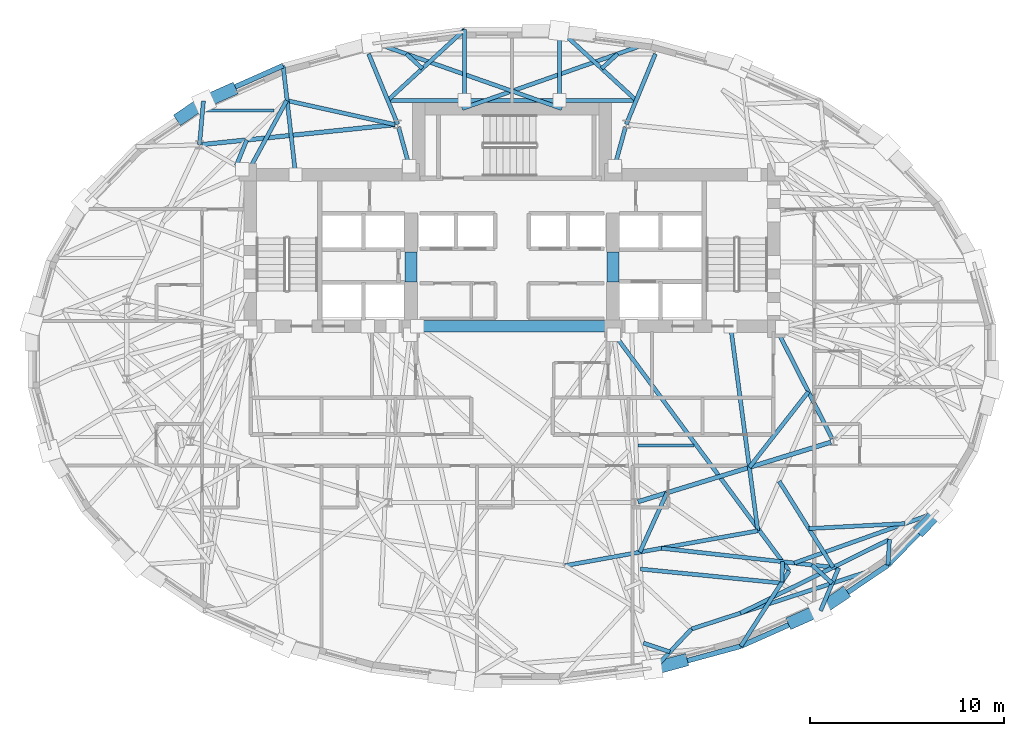
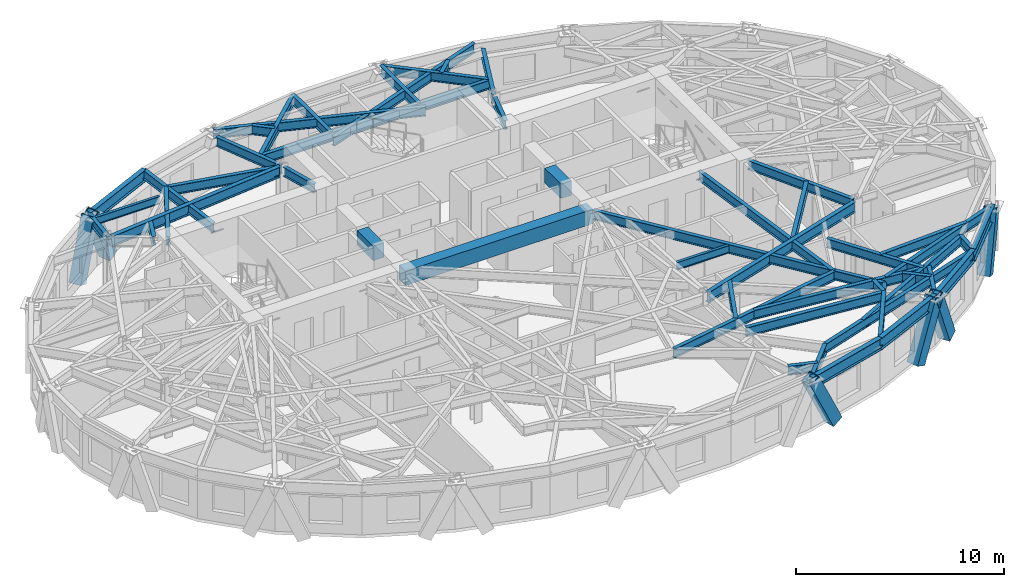
# One storey, part 3 of 15: 50 beams, 6 members.
"""IFC4 building model written with IfcOpenShell, lengths in metres."""

from ifc_helpers import new_model, si_unit, direction, frame, origin, origin_2d, place, context, subcontext, project, spatial, rectangle, hollow_rectangle, i_section, extrude, material, material_profile, profile_set, type_object, element, save


model = new_model("IFC4")

# Units and contexts
model_context = context("Model", 3, precision=1e-05, world=origin(), true_north=direction((0.0, 1.0)))
body_context = subcontext(model_context, "Body", "Model", "MODEL_VIEW")
ifc_project = project(units=[si_unit("LENGTHUNIT", "METRE"), si_unit("AREAUNIT", "SQUARE_METRE"), si_unit("VOLUMEUNIT", "CUBIC_METRE"), si_unit("PLANEANGLEUNIT", "RADIAN"), si_unit("MASSUNIT", "GRAM", prefix="KILO")], contexts=[model_context])

# Site, building, storey
site_placement = place(None, origin())
site = spatial("IfcSite", under=ifc_project, at=site_placement, CompositionType="ELEMENT")
building_placement = place(site_placement, origin())
building = spatial("IfcBuilding", under=site, at=building_placement, Name="Keldmark Tower", CompositionType="ELEMENT")
storey_placement = place(building_placement, frame((0.0, 0.0, 163.0)))
storey = spatial("IfcBuildingStorey", under=building, at=storey_placement, Name="L44", CompositionType="ELEMENT", Elevation=163.0)

# Beams
ifc_material_1 = material(Name="Steel ASTM A992 Grade 50", Category="steel")
ifc_material_profile_1 = material_profile(ifc_material_1, i_section(OverallWidth=0.153076171875, OverallDepth=0.455078125, WebThickness=0.008056640625, FlangeThickness=0.01318359375, at=origin_2d()), Name="W18X40")
ifc_profile_set_1 = profile_set([ifc_material_profile_1], Name="Steel ASTM A992 Grade 50")
beam_type_1 = type_object("IfcBeamType", Name="Composite Floor Joist W18X40", PredefinedType="JOIST", material=ifc_profile_set_1)
beam_1_placement = place(storey_placement, frame((6.473388671875, -4.60009765625, 2.79248046875), z_axis=(1.0, 0.0, 0.0), x_axis=(0.0, 1.0, 0.0)))
element("IfcBeam", 1, at=beam_1_placement, inside=storey, type_object=beam_type_1, Name="L44 Composite Floor Joist J04", PredefinedType="JOIST", context=body_context, shape_type="SweptSolid", body=[
    extrude(i_section(OverallWidth=0.153076171875, OverallDepth=0.455078125, WebThickness=0.008056640625, FlangeThickness=0.01318359375, at=origin_2d()), origin(), (0.0, 0.0, 1.0), 2.89453125),
])
beam_2_placement = place(storey_placement, frame((-15.827880859375, 12.6201171875, 2.79248046875), z_axis=(1.0, 0.0, 0.0), x_axis=(0.0, 1.0, 0.0)))
element("IfcBeam", 2, at=beam_2_placement, inside=storey, type_object=beam_type_1, Name="L44 Composite Floor Joist J07", PredefinedType="JOIST", context=body_context, shape_type="SweptSolid", body=[
    extrude(i_section(OverallWidth=0.153076171875, OverallDepth=0.455078125, WebThickness=0.008056640625, FlangeThickness=0.01318359375, at=origin_2d()), origin(), (0.0, 0.0, 1.0), 3.567626953125),
])
ifc_material_2 = material(Name="Concrete C50/60", Category="concrete")
ifc_material_profile_2 = material_profile(ifc_material_2, rectangle(XDim=0.60009765625, YDim=0.85009765625, at=origin_2d()), Name="RCB600X850")
ifc_profile_set_2 = profile_set([ifc_material_profile_2], Name="Concrete C50/60")
beam_type_2 = type_object("IfcBeamType", Name="Core Coupling Beam RCB600X850", PredefinedType="USERDEFINED", material=ifc_profile_set_2)
for number, where, z_axis, x_axis, name in (
    (3, (-5.199951171875, 3.800048828125, 2.594970703125), (0.0, 1.0, 0.0), (-1.0, 0.0, 0.0), "L44 West Core Coupling Beam"),
    (4, (5.199951171875, 3.800048828125, 2.594970703125), (0.0, 1.0, 0.0), (-1.0, 0.0, 0.0), "L44 East Core Coupling Beam"),
):
    element("IfcBeam", number, at=place(storey_placement, frame(where, z_axis=z_axis, x_axis=x_axis)), inside=storey, type_object=beam_type_2, Name=name, ObjectType="COUPLING BEAM", PredefinedType="USERDEFINED", context=body_context, shape_type="SweptSolid", body=[
        extrude(rectangle(XDim=0.60009765625, YDim=0.85009765625, at=origin_2d()), origin(), (0.0, 0.0, 1.0), 1.550048828125),
    ])
beam_3_placement = place(storey_placement, frame((-5.199951171875, 1.52490234375, 2.594970703125), z_axis=(1.0, 0.0, 0.0), x_axis=(0.0, 1.0, 0.0)))
element("IfcBeam", 5, at=beam_3_placement, inside=storey, type_object=beam_type_2, Name="L44 Central South Core Coupling Beam", ObjectType="COUPLING BEAM", PredefinedType="USERDEFINED", context=body_context, shape_type="SweptSolid", body=[
    extrude(rectangle(XDim=0.60009765625, YDim=0.85009765625, at=origin_2d()), origin(), (0.0, 0.0, 1.0), 10.39990234375),
])

# Members
ifc_material_3 = material(Name="Steel ASTM A572 Grade 50", Category="steel")
ifc_material_profile_3 = material_profile(ifc_material_3, hollow_rectangle(XDim=0.64990234375, YDim=0.64990234375, WallThickness=0.0400390625, at=origin_2d()), Name="BOX650X650X40")
ifc_profile_set_3 = profile_set([ifc_material_profile_3], Name="Steel ASTM A572 Grade 50")
member_type = type_object("IfcMemberType", Name="Diagrid Zone 3 Brace BOX650X650X40", PredefinedType="BRACE", material=ifc_profile_set_3)
member_1_placement = place(storey_placement, frame((-14.484619140625, 13.6708984375, -0.260009765625), z_axis=(-0.391057621334, -0.173671482903, 0.903831927309), x_axis=(0.405881029714, -0.913925921351, 0.0)))
element("IfcMember", 6, at=member_1_placement, inside=storey, type_object=member_type, Name="L44 Perimeter Diagrid Brace 06A", PredefinedType="BRACE", context=body_context, shape_type="SweptSolid", body=[
    extrude(hollow_rectangle(XDim=0.64990234375, YDim=0.64990234375, WallThickness=0.0400390625, at=origin_2d()), origin(), (0.0, 0.0, 1.0), 3.49609375),
])
member_2_placement = place(storey_placement, frame((-16.99853515625, 12.286376953125, -0.260009765625), z_axis=(0.334792573823, 0.226892983231, 0.914567387716), x_axis=(-0.561014251509, 0.827806142526, 0.0)))
element("IfcMember", 7, at=member_2_placement, inside=storey, type_object=member_type, Name="L44 Perimeter Diagrid Brace 06B", PredefinedType="BRACE", context=body_context, shape_type="SweptSolid", body=[
    extrude(hollow_rectangle(XDim=0.64990234375, YDim=0.64990234375, WallThickness=0.0400390625, at=origin_2d()), origin(), (0.0, 0.0, 1.0), 3.455078125),
])
member_3_placement = place(storey_placement, frame((8.7333984375, -15.703125, -0.260009765625), z_axis=(-0.429124287044, -0.116606099608, 0.895687090341), x_axis=(0.262221871512, -0.965007611421, 0.0)))
element("IfcMember", 8, at=member_3_placement, inside=storey, type_object=member_type, Name="L44 Perimeter Diagrid Brace 13B", PredefinedType="BRACE", context=body_context, shape_type="SweptSolid", body=[
    extrude(hollow_rectangle(XDim=0.64990234375, YDim=0.64990234375, WallThickness=0.0400390625, at=origin_2d()), origin(), (0.0, 0.0, 1.0), 3.52783203125),
])
member_4_placement = place(storey_placement, frame((14.484619140625, -13.6708984375, -0.260009765625), z_axis=(0.391057621334, 0.173671482903, 0.903831927309), x_axis=(-0.405881029714, 0.913925921351, 0.0)))
element("IfcMember", 9, at=member_4_placement, inside=storey, type_object=member_type, Name="L44 Perimeter Diagrid Brace 14A", PredefinedType="BRACE", context=body_context, shape_type="SweptSolid", body=[
    extrude(hollow_rectangle(XDim=0.64990234375, YDim=0.64990234375, WallThickness=0.0400390625, at=origin_2d()), origin(), (0.0, 0.0, 1.0), 3.49609375),
])
member_5_placement = place(storey_placement, frame((16.99853515625, -12.286376953125, -0.260009765625), z_axis=(-0.334792573823, -0.226892983231, 0.914567387716), x_axis=(0.561014251509, -0.827806142526, 0.0)))
element("IfcMember", 10, at=member_5_placement, inside=storey, type_object=member_type, Name="L44 Perimeter Diagrid Brace 14B", PredefinedType="BRACE", context=body_context, shape_type="SweptSolid", body=[
    extrude(hollow_rectangle(XDim=0.64990234375, YDim=0.64990234375, WallThickness=0.0400390625, at=origin_2d()), origin(), (0.0, 0.0, 1.0), 3.455078125),
])
member_6_placement = place(storey_placement, frame((21.0947265625, -8.873291015625, -0.260009765625), z_axis=(0.262478568709, 0.271564090166, 0.925936253692), x_axis=(-0.719032546856, 0.694976400004, 0.0)))
element("IfcMember", 11, at=member_6_placement, inside=storey, type_object=member_type, Name="L44 Perimeter Diagrid Brace 15A", PredefinedType="BRACE", context=body_context, shape_type="SweptSolid", body=[
    extrude(hollow_rectangle(XDim=0.64990234375, YDim=0.64990234375, WallThickness=0.0400390625, at=origin_2d()), origin(), (0.0, 0.0, 1.0), 3.41259765625),
])

# Beams
ifc_material_4 = material(Name="Steel ASTM A992 Grade 50", Category="steel")
ifc_material_profile_4 = material_profile(ifc_material_4, i_section(OverallWidth=0.22900390625, OverallDepth=0.612060546875, WebThickness=0.011962890625, FlangeThickness=0.01953125, at=origin_2d()), Name="W24X84")
ifc_profile_set_4 = profile_set([ifc_material_profile_4], Name="Steel ASTM A992 Grade 50")
beam_type_3 = type_object("IfcBeamType", Name="Primary Floor Girder W24X84", PredefinedType="BEAM", material=ifc_profile_set_4)
beam_4_placement = place(storey_placement, frame((-6.01953125, 11.90087890625, 2.714111328125), z_axis=(-0.994702930931, -0.102791435423, 0.0), x_axis=(0.102791435423, -0.994702930931, 0.0)))
element("IfcBeam", 12, at=beam_4_placement, inside=storey, type_object=beam_type_3, Name="L44 Floor Ring Girder FG-R04", PredefinedType="BEAM", context=body_context, shape_type="SweptSolid", body=[
    extrude(i_section(OverallWidth=0.22900390625, OverallDepth=0.612060546875, WebThickness=0.011962890625, FlangeThickness=0.01953125, at=origin_2d()), origin(), (0.0, 0.0, 1.0), 9.975341796875),
])
beam_5_placement = place(storey_placement, frame((6.485107421875, -7.5048828125, 2.714111328125), z_axis=(0.955494563145, 0.295008711398, 0.0), x_axis=(-0.295008711398, 0.955494563145, 0.0)))
element("IfcBeam", 13, at=beam_5_placement, inside=storey, type_object=beam_type_3, Name="L44 Floor Ring Girder FG-R10", PredefinedType="BEAM", context=body_context, shape_type="SweptSolid", body=[
    extrude(i_section(OverallWidth=0.22900390625, OverallDepth=0.612060546875, WebThickness=0.011962890625, FlangeThickness=0.01953125, at=origin_2d()), origin(), (0.0, 0.0, 1.0), 10.39013671875),
])
ifc_material_5 = material(Name="Steel ASTM A992 Grade 50", Category="steel")
ifc_material_profile_5 = material_profile(ifc_material_5, i_section(OverallWidth=0.2099609375, OverallDepth=0.537109375, WebThickness=0.010986328125, FlangeThickness=0.017333984375, at=origin_2d()), Name="W21X68")
ifc_profile_set_5 = profile_set([ifc_material_profile_5], Name="Steel ASTM A992 Grade 50")
beam_type_4 = type_object("IfcBeamType", Name="Radial Tie Girder W21X68", PredefinedType="BEAM", material=ifc_profile_set_5)
for number, where, z_axis, x_axis, name in (
    (14, (5.843017578125, 11.7802734375, 2.75146484375), (-0.265992411, -0.963975122755, 0.0), (0.963975122755, -0.265992411, 0.0), "L44 Floor Radial Girder FG-C03"),
    (15, (-5.843017578125, 11.7802734375, 2.75146484375), (0.265992411, -0.963975122755, 0.0), (0.963975122755, 0.265992411, 0.0), "L44 Floor Radial Girder FG-C04"),
):
    element("IfcBeam", number, at=place(storey_placement, frame(where, z_axis=z_axis, x_axis=x_axis)), inside=storey, type_object=beam_type_4, Name=name, PredefinedType="BEAM", context=body_context, shape_type="SweptSolid", body=[
        extrude(i_section(OverallWidth=0.2099609375, OverallDepth=0.537109375, WebThickness=0.010986328125, FlangeThickness=0.017333984375, at=origin_2d()), origin(), (0.0, 0.0, 1.0), 2.09716796875),
    ])
beam_6_placement = place(storey_placement, frame((16.4833984375, -4.273681640625, 2.75146484375), z_axis=(-0.453036691775, 0.891491870914, 0.0), x_axis=(-0.891491870914, -0.453036691775, 0.0)))
element("IfcBeam", 16, at=beam_6_placement, inside=storey, type_object=beam_type_4, Name="L44 Floor Radial Girder FG-C11", PredefinedType="BEAM", context=body_context, shape_type="SweptSolid", body=[
    extrude(i_section(OverallWidth=0.2099609375, OverallDepth=0.537109375, WebThickness=0.010986328125, FlangeThickness=0.017333984375, at=origin_2d()), origin(), (0.0, 0.0, 1.0), 6.044189453125),
])
beam_7_placement = place(storey_placement, frame((15.251220703125, -1.848876953125, 2.75146484375), z_axis=(-0.61556718814, -0.788084409746, 0.0), x_axis=(0.788084409746, -0.61556718814, 0.0)))
element("IfcBeam", 17, at=beam_7_placement, inside=storey, type_object=beam_type_4, Name="L44 Framing Pin Header PH-008", PredefinedType="BEAM", context=body_context, shape_type="SweptSolid", body=[
    extrude(i_section(OverallWidth=0.2099609375, OverallDepth=0.537109375, WebThickness=0.010986328125, FlangeThickness=0.017333984375, at=origin_2d()), origin(), (0.0, 0.0, 1.0), 4.931884765625),
])
beam_8_placement = place(storey_placement, frame((11.25, 1.52490234375, 2.75146484375), z_axis=(0.131788779406, -0.991277820605, 0.0), x_axis=(0.991277820605, 0.131788779406, 0.0)))
element("IfcBeam", 18, at=beam_8_placement, inside=storey, type_object=beam_type_4, Name="L44 Sub-Ring Step Girder STP2-M11", PredefinedType="BEAM", context=body_context, shape_type="SweptSolid", body=[
    extrude(i_section(OverallWidth=0.2099609375, OverallDepth=0.537109375, WebThickness=0.010986328125, FlangeThickness=0.017333984375, at=origin_2d()), origin(), (0.0, 0.0, 1.0), 10.620361328125),
])
beam_9_placement = place(storey_placement, frame((2.723876953125, -10.796142578125, 2.75146484375), z_axis=(0.984069515752, 0.1777841055, 0.0), x_axis=(-0.1777841055, 0.984069515752, 0.0)))
element("IfcBeam", 19, at=beam_9_placement, inside=storey, type_object=beam_type_4, Name="L44 Perimeter Collector Ring Beam CRG2-M10", PredefinedType="BEAM", context=body_context, shape_type="SweptSolid", body=[
    extrude(i_section(OverallWidth=0.2099609375, OverallDepth=0.537109375, WebThickness=0.010986328125, FlangeThickness=0.017333984375, at=origin_2d()), origin(), (0.0, 0.0, 1.0), 10.08642578125),
])
beam_10_placement = place(storey_placement, frame((-14.1904296875, 9.78564453125, 2.75146484375), z_axis=(0.377464687755, 0.9260239789, 0.0), x_axis=(-0.9260239789, 0.377464687755, 0.0)))
element("IfcBeam", 20, at=beam_10_placement, inside=storey, type_object=beam_type_4, Name="L44 Framing Pin Header PH-013", PredefinedType="BEAM", context=body_context, shape_type="SweptSolid", body=[
    extrude(i_section(OverallWidth=0.2099609375, OverallDepth=0.537109375, WebThickness=0.010986328125, FlangeThickness=0.017333984375, at=origin_2d()), origin(), (0.0, 0.0, 1.0), 1.4326171875),
])
beam_11_placement = place(storey_placement, frame((-13.60009765625, 9.449951171875, 2.75146484375), z_axis=(0.477654717375, 0.878547648662, 0.0), x_axis=(-0.878547648662, 0.477654717375, 0.0)))
element("IfcBeam", 21, at=beam_11_placement, inside=storey, type_object=beam_type_4, Name="L44 Local Collector Chord RT-11C", PredefinedType="BEAM", context=body_context, shape_type="SweptSolid", body=[
    extrude(i_section(OverallWidth=0.2099609375, OverallDepth=0.537109375, WebThickness=0.010986328125, FlangeThickness=0.017333984375, at=origin_2d()), origin(), (0.0, 0.0, 1.0), 4.201416015625),
])
beam_12_placement = place(storey_placement, frame((-16.08154296875, 10.861083984375, 2.75146484375), z_axis=(0.089048441045, 0.996027296387, 0.0), x_axis=(-0.996027296387, 0.089048441045, 0.0)))
element("IfcBeam", 22, at=beam_12_placement, inside=storey, type_object=beam_type_4, Name="L44 Perimeter Column Bracket RT-12", PredefinedType="BEAM", context=body_context, shape_type="SweptSolid", body=[
    extrude(i_section(OverallWidth=0.2099609375, OverallDepth=0.537109375, WebThickness=0.010986328125, FlangeThickness=0.017333984375, at=origin_2d()), origin(), (0.0, 0.0, 1.0), 2.2646484375),
])
beam_13_placement = place(storey_placement, frame((7.97412109375, -7.045166015625, 2.75146484375), z_axis=(-0.414953421551, -0.909842655597, 0.0), x_axis=(0.909842655597, -0.414953421551, 0.0)))
element("IfcBeam", 23, at=beam_13_placement, inside=storey, type_object=beam_type_4, Name="L44 Framing Pin Header PH-026", PredefinedType="BEAM", context=body_context, shape_type="SweptSolid", body=[
    extrude(i_section(OverallWidth=0.2099609375, OverallDepth=0.537109375, WebThickness=0.010986328125, FlangeThickness=0.017333984375, at=origin_2d()), origin(), (0.0, 0.0, 1.0), 3.356689453125),
])
beam_14_placement = place(storey_placement, frame((7.23681640625, -16.171875, 2.75146484375), z_axis=(0.686997697273, 0.726659592892, 0.0), x_axis=(-0.726659592892, 0.686997697273, 0.0)))
element("IfcBeam", 24, at=beam_14_placement, inside=storey, type_object=beam_type_4, Name="L44 Local Collector Chord RT-27C", PredefinedType="BEAM", context=body_context, shape_type="SweptSolid", body=[
    extrude(i_section(OverallWidth=0.2099609375, OverallDepth=0.537109375, WebThickness=0.010986328125, FlangeThickness=0.017333984375, at=origin_2d()), origin(), (0.0, 0.0, 1.0), 2.91162109375),
])
beam_15_placement = place(storey_placement, frame((6.758544921875, -14.777099609375, 2.75146484375), z_axis=(0.949660375702, -0.313281296636, 0.0), x_axis=(0.313281296636, 0.949660375702, 0.0)))
element("IfcBeam", 25, at=beam_15_placement, inside=storey, type_object=beam_type_4, Name="L44 Framing Pin Header PH-029", PredefinedType="BEAM", context=body_context, shape_type="SweptSolid", body=[
    extrude(i_section(OverallWidth=0.2099609375, OverallDepth=0.537109375, WebThickness=0.010986328125, FlangeThickness=0.017333984375, at=origin_2d()), origin(), (0.0, 0.0, 1.0), 1.4423828125),
])
beam_16_placement = place(storey_placement, frame((5.199951171875, 1.199951171875, 2.75146484375), z_axis=(0.59453422217, -0.804070307043, 0.0), x_axis=(0.804070307043, 0.59453422217, 0.0)))
element("IfcBeam", 26, at=beam_16_placement, inside=storey, type_object=beam_type_4, Name="L44 Intermediate Radial Step Girder RT-28M", PredefinedType="BEAM", context=body_context, shape_type="SweptSolid", body=[
    extrude(i_section(OverallWidth=0.2099609375, OverallDepth=0.537109375, WebThickness=0.010986328125, FlangeThickness=0.017333984375, at=origin_2d()), origin(), (0.0, 0.0, 1.0), 15.2470703125),
])
beam_17_placement = place(storey_placement, frame((11.77880859375, -14.93798828125, 2.75146484375), z_axis=(0.539677672461, 0.841871730044, 0.0), x_axis=(-0.841871730044, 0.539677672461, 0.0)))
element("IfcBeam", 27, at=beam_17_placement, inside=storey, type_object=beam_type_4, Name="L44 Local Collector Chord RT-28C", PredefinedType="BEAM", context=body_context, shape_type="SweptSolid", body=[
    extrude(i_section(OverallWidth=0.2099609375, OverallDepth=0.537109375, WebThickness=0.010986328125, FlangeThickness=0.017333984375, at=origin_2d()), origin(), (0.0, 0.0, 1.0), 4.606689453125),
])
beam_18_placement = place(storey_placement, frame((6.613525390625, -10.96923828125, 2.75146484375), z_axis=(0.995067350414, -0.099201653916, 0.0), x_axis=(0.099201653916, 0.995067350414, 0.0)))
element("IfcBeam", 28, at=beam_18_placement, inside=storey, type_object=beam_type_4, Name="L44 Framing Pin Header PH-030", PredefinedType="BEAM", context=body_context, shape_type="SweptSolid", body=[
    extrude(i_section(OverallWidth=0.2099609375, OverallDepth=0.537109375, WebThickness=0.010986328125, FlangeThickness=0.017333984375, at=origin_2d()), origin(), (0.0, 0.0, 1.0), 7.2822265625),
])
beam_19_placement = place(storey_placement, frame((13.891845703125, -11.6416015625, 2.75146484375), z_axis=(0.02533480898, 0.999679022214, 0.0), x_axis=(-0.999679022214, 0.02533480898, 0.0)))
element("IfcBeam", 29, at=beam_19_placement, inside=storey, type_object=beam_type_4, Name="L44 Framing Pin Header PH-031", PredefinedType="BEAM", context=body_context, shape_type="SweptSolid", body=[
    extrude(i_section(OverallWidth=0.2099609375, OverallDepth=0.537109375, WebThickness=0.010986328125, FlangeThickness=0.017333984375, at=origin_2d()), origin(), (0.0, 0.0, 1.0), 1.05029296875),
])
beam_20_placement = place(storey_placement, frame((7.686767578125, -9.8994140625, 2.75146484375), z_axis=(0.993889248992, -0.110381885916, 0.0), x_axis=(0.110381885916, 0.993889248992, 0.0)))
element("IfcBeam", 30, at=beam_20_placement, inside=storey, type_object=beam_type_4, Name="L44 Intermediate Radial Step Girder RT-29M", PredefinedType="BEAM", context=body_context, shape_type="SweptSolid", body=[
    extrude(i_section(OverallWidth=0.2099609375, OverallDepth=0.537109375, WebThickness=0.010986328125, FlangeThickness=0.017333984375, at=origin_2d()), origin(), (0.0, 0.0, 1.0), 9.1767578125),
])
beam_21_placement = place(storey_placement, frame((15.8798828125, -13.11669921875, 2.75146484375), z_axis=(0.387824231892, 0.921733348185, 0.0), x_axis=(-0.921733348185, 0.387824231892, 0.0)))
element("IfcBeam", 31, at=beam_21_placement, inside=storey, type_object=beam_type_4, Name="L44 Local Collector Chord RT-29C", PredefinedType="BEAM", context=body_context, shape_type="SweptSolid", body=[
    extrude(i_section(OverallWidth=0.2099609375, OverallDepth=0.537109375, WebThickness=0.010986328125, FlangeThickness=0.017333984375, at=origin_2d()), origin(), (0.0, 0.0, 1.0), 2.3916015625),
])
beam_22_placement = place(storey_placement, frame((15.439208984375, -10.760498046875, 2.75146484375), z_axis=(0.740981524203, -0.671525413361, 0.0), x_axis=(0.671525413361, 0.740981524203, 0.0)))
element("IfcBeam", 32, at=beam_22_placement, inside=storey, type_object=beam_type_4, Name="L44 Framing Pin Header PH-032", PredefinedType="BEAM", context=body_context, shape_type="SweptSolid", body=[
    extrude(i_section(OverallWidth=0.2099609375, OverallDepth=0.537109375, WebThickness=0.010986328125, FlangeThickness=0.017333984375, at=origin_2d()), origin(), (0.0, 0.0, 1.0), 1.39892578125),
])
beam_23_placement = place(storey_placement, frame((9.237060546875, -14.05615234375, 2.75146484375), z_axis=(0.950900030318, 0.309498194407, 0.0), x_axis=(-0.309498194407, 0.950900030318, 0.0)))
element("IfcBeam", 33, at=beam_23_placement, inside=storey, type_object=beam_type_4, Name="L44 Perimeter Radial Tie Girder RT-29", PredefinedType="BEAM", context=body_context, shape_type="SweptSolid", body=[
    extrude(i_section(OverallWidth=0.2099609375, OverallDepth=0.537109375, WebThickness=0.010986328125, FlangeThickness=0.017333984375, at=origin_2d()), origin(), (0.0, 0.0, 1.0), 10.635009765625),
])
beam_24_placement = place(storey_placement, frame((13.748779296875, -6.447998046875, 2.75146484375), z_axis=(0.530665942511, -0.847581062471, 0.0), x_axis=(0.847581062471, 0.530665942511, 0.0)))
element("IfcBeam", 34, at=beam_24_placement, inside=storey, type_object=beam_type_4, Name="L44 Framing Pin Header PH-033", PredefinedType="BEAM", context=body_context, shape_type="SweptSolid", body=[
    extrude(i_section(OverallWidth=0.2099609375, OverallDepth=0.537109375, WebThickness=0.010986328125, FlangeThickness=0.017333984375, at=origin_2d()), origin(), (0.0, 0.0, 1.0), 5.22998046875),
])
beam_25_placement = place(storey_placement, frame((11.765380859375, -13.233154296875, 2.75146484375), z_axis=(0.896464468834, 0.443115623871, 0.0), x_axis=(-0.443115623871, 0.896464468834, 0.0)))
element("IfcBeam", 35, at=beam_25_placement, inside=storey, type_object=beam_type_4, Name="L44 Intermediate Radial Step Girder RT-30M", PredefinedType="BEAM", context=body_context, shape_type="SweptSolid", body=[
    extrude(i_section(OverallWidth=0.2099609375, OverallDepth=0.537109375, WebThickness=0.010986328125, FlangeThickness=0.017333984375, at=origin_2d()), origin(), (0.0, 0.0, 1.0), 8.541015625),
])
beam_26_placement = place(storey_placement, frame((19.349853515625, -10.7646484375, 2.75146484375), z_axis=(0.054823748843, 0.998496047345, 0.0), x_axis=(-0.998496047345, 0.054823748843, 0.0)))
element("IfcBeam", 36, at=beam_26_placement, inside=storey, type_object=beam_type_4, Name="L44 Local Collector Chord RT-30C", PredefinedType="BEAM", context=body_context, shape_type="SweptSolid", body=[
    extrude(i_section(OverallWidth=0.2099609375, OverallDepth=0.537109375, WebThickness=0.010986328125, FlangeThickness=0.017333984375, at=origin_2d()), origin(), (0.0, 0.0, 1.0), 1.318115234375),
])
for number, where, z_axis, x_axis, name in (
    (37, (-5.880126953125, 11.915283203125, 2.75146484375), (-0.381836487795, 0.924229893797, 0.0), (-0.924229893797, -0.381836487795, 0.0), "L44 North Column Cantilever Girder West FG-TCN-W"),
    (38, (5.880126953125, 11.915283203125, 2.75146484375), (0.381836487795, 0.924229893797, 0.0), (-0.924229893797, 0.381836487795, 0.0), "L44 North Column Cantilever Girder East FG-TCN-E"),
):
    element("IfcBeam", number, at=place(storey_placement, frame(where, z_axis=z_axis, x_axis=x_axis)), inside=storey, type_object=beam_type_4, Name=name, PredefinedType="BEAM", context=body_context, shape_type="SweptSolid", body=[
        extrude(i_section(OverallWidth=0.2099609375, OverallDepth=0.537109375, WebThickness=0.010986328125, FlangeThickness=0.017333984375, at=origin_2d()), origin(), (0.0, 0.0, 1.0), 3.920166015625),
    ])
beam_27_placement = place(storey_placement, frame((-6.390380859375, 13.14990234375, 2.75146484375), z_axis=(1.0, 0.0, 0.0), x_axis=(0.0, 1.0, 0.0)))
element("IfcBeam", 39, at=beam_27_placement, inside=storey, type_object=beam_type_4, Name="L44 North Inner Header Girder FG-TCN-H0", PredefinedType="BEAM", context=body_context, shape_type="SweptSolid", body=[
    extrude(i_section(OverallWidth=0.2099609375, OverallDepth=0.537109375, WebThickness=0.010986328125, FlangeThickness=0.017333984375, at=origin_2d()), origin(), (0.0, 0.0, 1.0), 12.78076171875),
])
for number, where, z_axis, x_axis, name in (
    (40, (2.439208984375, 13.14990234375, 2.75146484375), (0.0, 1.0, 0.0), (-1.0, 0.0, 0.0), "L44 North Continuous Radial Girder RT-08N"),
    (41, (-2.439208984375, 13.14990234375, 2.75146484375), (0.0, 1.0, 0.0), (-1.0, 0.0, 0.0), "L44 North Continuous Radial Girder RT-09N"),
):
    element("IfcBeam", number, at=place(storey_placement, frame(where, z_axis=z_axis, x_axis=x_axis)), inside=storey, type_object=beam_type_4, Name=name, PredefinedType="BEAM", context=body_context, shape_type="SweptSolid", body=[
        extrude(i_section(OverallWidth=0.2099609375, OverallDepth=0.537109375, WebThickness=0.010986328125, FlangeThickness=0.017333984375, at=origin_2d()), origin(), (0.0, 0.0, 1.0), 3.63818359375),
    ])
beam_28_placement = place(storey_placement, frame((6.390380859375, 13.14990234375, 2.75146484375), z_axis=(-0.735642853737, 0.677369612357, 0.0), x_axis=(-0.677369612357, -0.735642853737, 0.0)))
element("IfcBeam", 42, at=beam_28_placement, inside=storey, type_object=beam_type_4, Name="L44 Straddling Support Chord RT-07RB", PredefinedType="BEAM", context=body_context, shape_type="SweptSolid", body=[
    extrude(i_section(OverallWidth=0.2099609375, OverallDepth=0.537109375, WebThickness=0.010986328125, FlangeThickness=0.017333984375, at=origin_2d()), origin(), (0.0, 0.0, 1.0), 5.37109375),
])
beam_29_placement = place(storey_placement, frame((4.6123046875, 14.787109375, 2.75146484375), z_axis=(0.738779417209, 0.673947307071, 0.0), x_axis=(-0.673947307071, 0.738779417209, 0.0)))
element("IfcBeam", 43, at=beam_29_placement, inside=storey, type_object=beam_type_4, Name="L44 Framing Pin Header PH-037", PredefinedType="BEAM", context=body_context, shape_type="SweptSolid", body=[
    extrude(i_section(OverallWidth=0.2099609375, OverallDepth=0.537109375, WebThickness=0.010986328125, FlangeThickness=0.017333984375, at=origin_2d()), origin(), (0.0, 0.0, 1.0), 1.11474609375),
])
beam_30_placement = place(storey_placement, frame((-2.5625, 12.72509765625, 2.75146484375), z_axis=(0.943346452772, 0.331809388117, 0.0), x_axis=(-0.331809388117, 0.943346452772, 0.0)))
element("IfcBeam", 44, at=beam_30_placement, inside=storey, type_object=beam_type_4, Name="L44 Perimeter Radial Tie Girder RT-07R", PredefinedType="BEAM", context=body_context, shape_type="SweptSolid", body=[
    extrude(i_section(OverallWidth=0.2099609375, OverallDepth=0.537109375, WebThickness=0.010986328125, FlangeThickness=0.017333984375, at=origin_2d()), origin(), (0.0, 0.0, 1.0), 10.387939453125),
])
beam_31_placement = place(storey_placement, frame((-2.439208984375, 16.7880859375, 2.75146484375), z_axis=(-0.735642853737, -0.677369612357, 0.0), x_axis=(0.677369612357, -0.735642853737, 0.0)))
element("IfcBeam", 45, at=beam_31_placement, inside=storey, type_object=beam_type_4, Name="L44 Straddling Support Chord RT-10RB", PredefinedType="BEAM", context=body_context, shape_type="SweptSolid", body=[
    extrude(i_section(OverallWidth=0.2099609375, OverallDepth=0.537109375, WebThickness=0.010986328125, FlangeThickness=0.017333984375, at=origin_2d()), origin(), (0.0, 0.0, 1.0), 5.37109375),
])
beam_32_placement = place(storey_placement, frame((-4.6123046875, 14.787109375, 2.75146484375), z_axis=(-0.738779417209, 0.673947307071, 0.0), x_axis=(-0.673947307071, -0.738779417209, 0.0)))
element("IfcBeam", 46, at=beam_32_placement, inside=storey, type_object=beam_type_4, Name="L44 Framing Pin Header PH-038", PredefinedType="BEAM", context=body_context, shape_type="SweptSolid", body=[
    extrude(i_section(OverallWidth=0.2099609375, OverallDepth=0.537109375, WebThickness=0.010986328125, FlangeThickness=0.017333984375, at=origin_2d()), origin(), (0.0, 0.0, 1.0), 1.11474609375),
])
beam_33_placement = place(storey_placement, frame((2.5625, 12.72509765625, 2.75146484375), z_axis=(-0.943346452772, 0.331809388117, 0.0), x_axis=(-0.331809388117, -0.943346452772, 0.0)))
element("IfcBeam", 47, at=beam_33_placement, inside=storey, type_object=beam_type_4, Name="L44 Perimeter Radial Tie Girder RT-10R", PredefinedType="BEAM", context=body_context, shape_type="SweptSolid", body=[
    extrude(i_section(OverallWidth=0.2099609375, OverallDepth=0.537109375, WebThickness=0.010986328125, FlangeThickness=0.017333984375, at=origin_2d()), origin(), (0.0, 0.0, 1.0), 10.387939453125),
])
beam_34_placement = place(storey_placement, frame((-6.01953125, 11.90087890625, 2.75146484375), z_axis=(-0.976126660537, 0.217202077772, 0.0), x_axis=(-0.217202077772, -0.976126660537, 0.0)))
element("IfcBeam", 48, at=beam_34_placement, inside=storey, type_object=beam_type_4, Name="L44 Straddling Support Chord RT-11RB", PredefinedType="BEAM", context=body_context, shape_type="SweptSolid", body=[
    extrude(i_section(OverallWidth=0.2099609375, OverallDepth=0.537109375, WebThickness=0.010986328125, FlangeThickness=0.017333984375, at=origin_2d()), origin(), (0.0, 0.0, 1.0), 5.7099609375),
])
beam_35_placement = place(storey_placement, frame((-11.1357421875, 9.324951171875, 2.75146484375), z_axis=(-0.113822019319, 0.993501156476, 0.0), x_axis=(-0.993501156476, -0.113822019319, 0.0)))
element("IfcBeam", 49, at=beam_35_placement, inside=storey, type_object=beam_type_4, Name="L44 Perimeter Radial Tie Girder RT-11R", PredefinedType="BEAM", context=body_context, shape_type="SweptSolid", body=[
    extrude(i_section(OverallWidth=0.2099609375, OverallDepth=0.537109375, WebThickness=0.010986328125, FlangeThickness=0.017333984375, at=origin_2d()), origin(), (0.0, 0.0, 1.0), 5.649658203125),
])
beam_36_placement = place(storey_placement, frame((15.275146484375, -8.885986328125, 2.75146484375), z_axis=(0.998681382448, 0.051337085533, 0.0), x_axis=(-0.051337085533, 0.998681382448, 0.0)))
element("IfcBeam", 50, at=beam_36_placement, inside=storey, type_object=beam_type_4, Name="L44 Framing Pin Header PH-042", PredefinedType="BEAM", context=body_context, shape_type="SweptSolid", body=[
    extrude(i_section(OverallWidth=0.2099609375, OverallDepth=0.537109375, WebThickness=0.010986328125, FlangeThickness=0.017333984375, at=origin_2d()), origin(), (0.0, 0.0, 1.0), 4.95068359375),
])
beam_37_placement = place(storey_placement, frame((14.527099609375, -10.6591796875, 2.75146484375), z_axis=(0.942039482197, 0.335502032753, 0.0), x_axis=(-0.335502032753, 0.942039482197, 0.0)))
element("IfcBeam", 51, at=beam_37_placement, inside=storey, type_object=beam_type_4, Name="L44 Perimeter Radial Tie Girder RT-30R", PredefinedType="BEAM", context=body_context, shape_type="SweptSolid", body=[
    extrude(i_section(OverallWidth=0.2099609375, OverallDepth=0.537109375, WebThickness=0.010986328125, FlangeThickness=0.017333984375, at=origin_2d()), origin(), (0.0, 0.0, 1.0), 7.971923828125),
])
ifc_material_6 = material(Name="Steel ASTM A992 Grade 50", Category="steel")
ifc_material_profile_6 = material_profile(ifc_material_6, i_section(OverallWidth=0.256103515625, OverallDepth=0.693115234375, WebThickness=0.014404296875, FlangeThickness=0.023681640625, at=origin_2d()), Name="W27X114")
ifc_profile_set_6 = profile_set([ifc_material_profile_6], Name="Steel ASTM A992 Grade 50")
beam_type_5 = type_object("IfcBeamType", Name="Spandrel Ring Beam W27X114", PredefinedType="SPANDREL", material=ifc_profile_set_6)
beam_38_placement = place(storey_placement, frame((-11.77880859375, 14.93798828125, 2.673583984375), z_axis=(-0.913928177397, -0.405875949719, 0.0), x_axis=(0.405875949719, -0.913928177397, 0.0)))
element("IfcBeam", 52, at=beam_38_placement, inside=storey, type_object=beam_type_5, Name="L44 Perimeter Spandrel Ring Beam SRB-11", PredefinedType="SPANDREL", context=body_context, shape_type="SweptSolid", body=[
    extrude(i_section(OverallWidth=0.256103515625, OverallDepth=0.693115234375, WebThickness=0.014404296875, FlangeThickness=0.023681640625, at=origin_2d()), origin(), (0.0, 0.0, 1.0), 4.4873046875),
])
beam_39_placement = place(storey_placement, frame((7.23681640625, -16.171875, 2.673583984375), z_axis=(0.965024302167, 0.26216043986, 0.0), x_axis=(-0.26216043986, 0.965024302167, 0.0)))
element("IfcBeam", 53, at=beam_39_placement, inside=storey, type_object=beam_type_5, Name="L44 Perimeter Spandrel Ring Beam SRB-26", PredefinedType="SPANDREL", context=body_context, shape_type="SweptSolid", body=[
    extrude(i_section(OverallWidth=0.256103515625, OverallDepth=0.693115234375, WebThickness=0.014404296875, FlangeThickness=0.023681640625, at=origin_2d()), origin(), (0.0, 0.0, 1.0), 4.70654296875),
])
beam_40_placement = place(storey_placement, frame((11.77880859375, -14.93798828125, 2.673583984375), z_axis=(0.913928177397, 0.405875949719, 0.0), x_axis=(-0.405875949719, 0.913928177397, 0.0)))
element("IfcBeam", 54, at=beam_40_placement, inside=storey, type_object=beam_type_5, Name="L44 Perimeter Spandrel Ring Beam SRB-27", PredefinedType="SPANDREL", context=body_context, shape_type="SweptSolid", body=[
    extrude(i_section(OverallWidth=0.256103515625, OverallDepth=0.693115234375, WebThickness=0.014404296875, FlangeThickness=0.023681640625, at=origin_2d()), origin(), (0.0, 0.0, 1.0), 4.4873046875),
])
beam_41_placement = place(storey_placement, frame((15.8798828125, -13.11669921875, 2.673583984375), z_axis=(0.827760762475, 0.561081206338, 0.0), x_axis=(-0.561081206338, 0.827760762475, 0.0)))
element("IfcBeam", 55, at=beam_41_placement, inside=storey, type_object=beam_type_5, Name="L44 Perimeter Spandrel Ring Beam SRB-28", PredefinedType="SPANDREL", context=body_context, shape_type="SweptSolid", body=[
    extrude(i_section(OverallWidth=0.256103515625, OverallDepth=0.693115234375, WebThickness=0.014404296875, FlangeThickness=0.023681640625, at=origin_2d()), origin(), (0.0, 0.0, 1.0), 4.19189453125),
])
beam_42_placement = place(storey_placement, frame((19.349853515625, -10.7646484375, 2.673583984375), z_axis=(0.694975307772, 0.719033602544, 0.0), x_axis=(-0.719033602544, 0.694975307772, 0.0)))
element("IfcBeam", 56, at=beam_42_placement, inside=storey, type_object=beam_type_5, Name="L44 Perimeter Spandrel Ring Beam SRB-29", PredefinedType="SPANDREL", context=body_context, shape_type="SweptSolid", body=[
    extrude(i_section(OverallWidth=0.256103515625, OverallDepth=0.693115234375, WebThickness=0.014404296875, FlangeThickness=0.023681640625, at=origin_2d()), origin(), (0.0, 0.0, 1.0), 3.866455078125),
])

save(model, "model.ifc")
